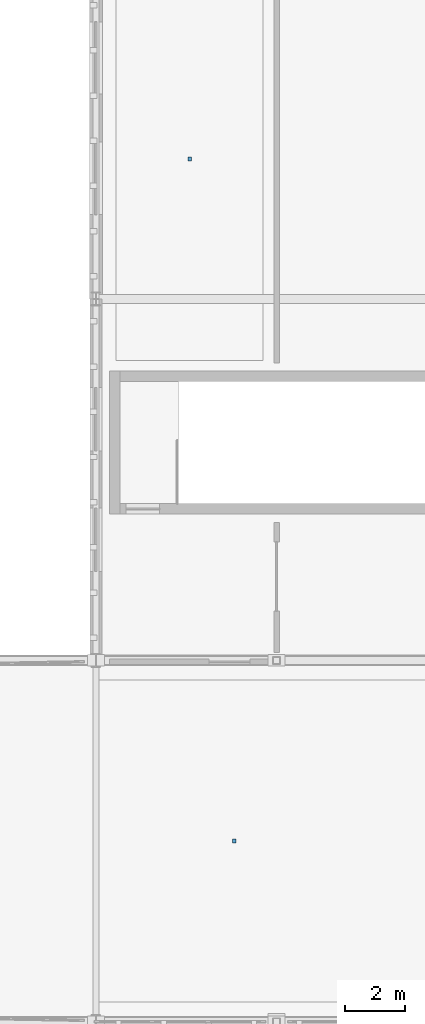
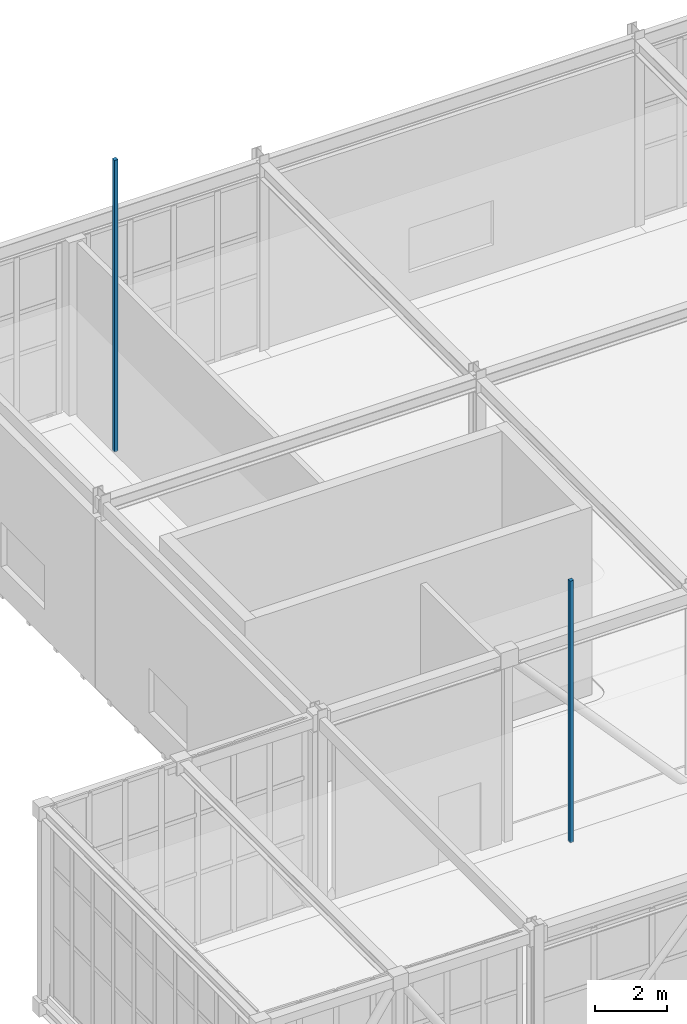
# One storey, part 44 of 62: 2 discrete accessories.
"""IFC4 building model written with IfcOpenShell, lengths in metres."""

from ifc_helpers import new_model, si_unit, direction, frame, origin, origin_2d, place, context, subcontext, project, spatial, rectangle, extrude, material, type_object, element, save


model = new_model("IFC4")

# Units and contexts
model_context = context("Model", 3, precision=1e-05, world=origin(), true_north=direction((0.0, 1.0)))
body_context = subcontext(model_context, "Body", "Model", "MODEL_VIEW")
ifc_project = project(units=[si_unit("LENGTHUNIT", "METRE"), si_unit("AREAUNIT", "SQUARE_METRE"), si_unit("VOLUMEUNIT", "CUBIC_METRE"), si_unit("PLANEANGLEUNIT", "RADIAN"), si_unit("MASSUNIT", "GRAM", prefix="KILO")], contexts=[model_context])

# Site, building, storey
site_placement = place(None, origin())
site = spatial("IfcSite", under=ifc_project, at=site_placement, CompositionType="ELEMENT")
building_placement = place(site_placement, origin())
building = spatial("IfcBuilding", under=site, at=building_placement, Name="Zlatogorsky Bluff Art Gallery", CompositionType="ELEMENT")
storey_placement = place(building_placement, frame((0.0, 0.0, 16.800048828125)))
storey = spatial("IfcBuildingStorey", under=building, at=storey_placement, Name="L03", CompositionType="ELEMENT", Elevation=16.800048828125)

# Discrete accessories
ifc_material = material(Name="Steel S355", Category="steel")
discrete_accessory_type = type_object("IfcDiscreteAccessoryType", Name="Stainless Facade Fin Bracket BRK-01", PredefinedType="BRACKET", material=ifc_material)
discrete_accessory_1_placement = place(storey_placement, frame((4.60009765625, 90.0, 4.054931640625), z_axis=(0.0, 0.0, 1.0), x_axis=(1.0, 0.0, 0.0)))
element("IfcDiscreteAccessory", 1, at=discrete_accessory_1_placement, inside=storey, type_object=discrete_accessory_type, Name="Acoustic ceiling suspension hanger L03-LK", PredefinedType="BRACKET", context=body_context, shape_type="SweptSolid", body=[
    extrude(rectangle(XDim=0.1201171875, YDim=0.1201171875, at=origin_2d()), origin(), (0.0, 0.0, 1.0), 8.83740234375),
])
discrete_accessory_2_placement = place(storey_placement, frame((3.110107421875, 112.64501953125, 4.05517578125), z_axis=(0.0, 0.0, 1.0), x_axis=(1.0, 0.0, 0.0)))
element("IfcDiscreteAccessory", 2, at=discrete_accessory_2_placement, inside=storey, type_object=discrete_accessory_type, Name="Acoustic ceiling suspension hanger L03-G1-11", PredefinedType="BRACKET", context=body_context, shape_type="SweptSolid", body=[
    extrude(rectangle(XDim=0.1201171875, YDim=0.1201171875, at=origin_2d()), origin(), (0.0, 0.0, 1.0), 9.852783203125),
])

save(model, "model.ifc")
